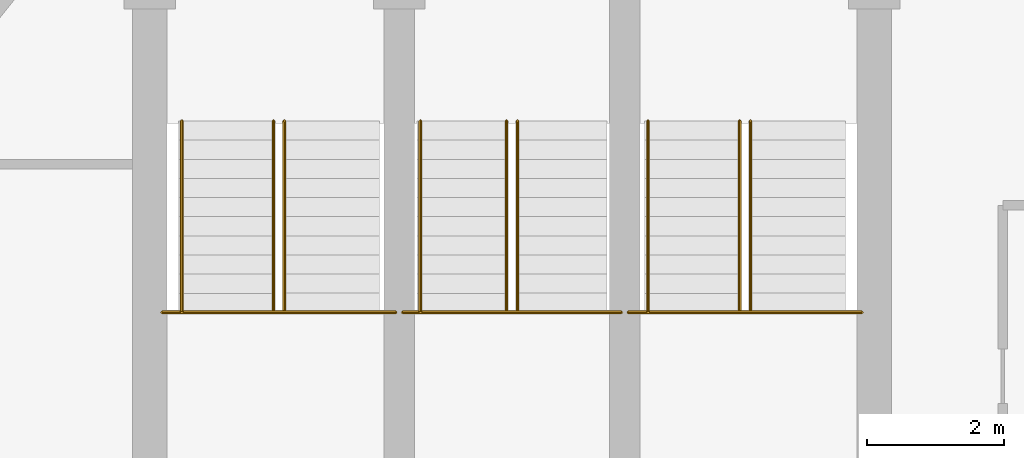
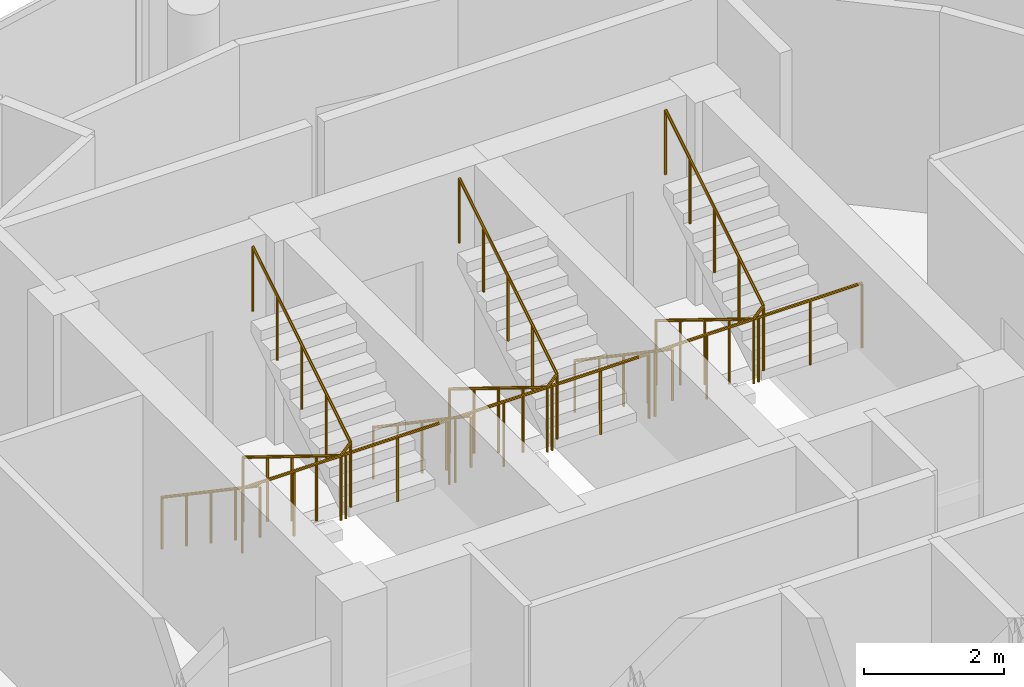
# One storey, part 24 of 24: 9 railings.
"""IFC4 building model written with IfcOpenShell, lengths in metres."""

from ifc_helpers import new_model, si_unit, direction, frame, origin, place, context, subcontext, project, spatial, polyline, outline, extrude, material, type_object, element, save


model = new_model("IFC4")

# Units and contexts
model_context = context("Model", 3, precision=1e-05, world=origin(), true_north=direction((0.0, 1.0)))
body_context = subcontext(model_context, "Body", "Model", "MODEL_VIEW")
ifc_project = project(units=[si_unit("LENGTHUNIT", "METRE"), si_unit("AREAUNIT", "SQUARE_METRE"), si_unit("VOLUMEUNIT", "CUBIC_METRE"), si_unit("PLANEANGLEUNIT", "RADIAN"), si_unit("MASSUNIT", "GRAM", prefix="KILO")], contexts=[model_context])

# Site, building, storey
site_placement = place(None, origin())
site = spatial("IfcSite", under=ifc_project, at=site_placement, CompositionType="ELEMENT")
building_placement = place(site_placement, origin())
building = spatial("IfcBuilding", under=site, at=building_placement, Name="Nuhasar Tower", CompositionType="ELEMENT")
storey_placement = place(building_placement, frame((0.0, 0.0, 278.39990234375)))
storey = spatial("IfcBuildingStorey", under=building, at=storey_placement, Name="L69", CompositionType="ELEMENT", Elevation=278.39990234375)

# Railings
ifc_material_1 = material(Name="Steel S355", Category="steel")
railing_type_1 = type_object("IfcRailingType", Name="RLG-STAIR-GUARD-1150", PredefinedType="GUARDRAIL", material=ifc_material_1)
railing_1_placement = place(storey_placement, frame((33.8798828125, 32.485107421875, 1.900146484375)))
element("IfcRailing", 1, at=railing_1_placement, inside=storey, type_object=railing_type_1, Name="L69 Stair ST-01 Guardrail LND", PredefinedType="GUARDRAIL", context=body_context, shape_type="SweptSolid", body=[
    extrude(outline(polyline([(0.024169921875, 0.0), (0.01708984375, 0.01708984375), (0.0, 0.024169921875), (-0.01708984375, 0.01708984375), (-0.024169921875, 0.0), (-0.01708984375, -0.01708984375), (0.0, -0.024169921875), (0.01708984375, -0.01708984375), (0.024169921875, 0.0)])), frame((0.0, 0.0, 1.1259765625), z_axis=(1.0, 0.0, 0.0), x_axis=(0.0, 1.0, 0.0)), (0.0, 0.0, 1.0), 3.420166015625),
    extrude(outline(polyline([(0.02099609375, 0.0), (0.014892578125, 0.014892578125), (0.0, 0.02099609375), (-0.014892578125, 0.014892578125), (-0.02099609375, 0.0), (-0.014892578125, -0.014892578125), (0.0, -0.02099609375), (0.014892578125, -0.014892578125), (0.02099609375, 0.0)])), origin(), (0.0, 0.0, 1.0), 1.101806640625),
    extrude(outline(polyline([(0.02099609375, 0.0), (0.014892578125, 0.014892578125), (0.0, 0.02099609375), (-0.014892578125, 0.014892578125), (-0.02099609375, 0.0), (-0.014892578125, -0.014892578125), (0.0, -0.02099609375), (0.014892578125, -0.014892578125), (0.02099609375, 0.0)])), frame((0.85498046875, 0.0, 0.0)), (0.0, 0.0, 1.0), 1.101806640625),
    extrude(outline(polyline([(0.02099609375, 0.0), (0.014892578125, 0.014892578125), (0.0, 0.02099609375), (-0.014892578125, 0.014892578125), (-0.02099609375, 0.0), (-0.014892578125, -0.014892578125), (0.0, -0.02099609375), (0.014892578125, -0.014892578125), (0.02099609375, 0.0)])), frame((1.7099609375, 0.0, 0.0)), (0.0, 0.0, 1.0), 1.101806640625),
    extrude(outline(polyline([(0.02099609375, 0.0), (0.014892578125, 0.014892578125), (0.0, 0.02099609375), (-0.014892578125, 0.014892578125), (-0.02099609375, 0.0), (-0.014892578125, -0.014892578125), (0.0, -0.02099609375), (0.014892578125, -0.014892578125), (0.02099609375, 0.0)])), frame((2.565185546875, 0.0, 0.0)), (0.0, 0.0, 1.0), 1.101806640625),
    extrude(outline(polyline([(0.02099609375, 0.0), (0.014892578125, 0.014892578125), (0.0, 0.02099609375), (-0.014892578125, 0.014892578125), (-0.02099609375, 0.0), (-0.014892578125, -0.014892578125), (0.0, -0.02099609375), (0.014892578125, -0.014892578125), (0.02099609375, 0.0)])), frame((3.420166015625, 0.0, 0.0)), (0.0, 0.0, 1.0), 1.101806640625),
])
railing_2_placement = place(storey_placement, frame((35.510009765625, 35.284912109375, 0.173095703125)))
element("IfcRailing", 2, at=railing_2_placement, inside=storey, type_object=railing_type_1, Name="L69 Stair ST-01 Guardrail SLT", PredefinedType="GUARDRAIL", context=body_context, shape_type="SweptSolid", body=[
    extrude(outline(polyline([(0.024169921875, 0.0), (0.01708984375, 0.01708984375), (0.0, 0.024169921875), (-0.01708984375, 0.01708984375), (-0.024169921875, 0.0), (-0.01708984375, -0.01708984375), (0.0, -0.024169921875), (0.01708984375, -0.01708984375), (0.024169921875, 0.0)])), frame((0.0, 0.0, 1.1259765625), z_axis=(0.0, -0.851102337555, 0.524999820009), x_axis=(1.0, 0.0, 0.0)), (0.0, 0.0, 1.0), 3.28955078125),
    extrude(outline(polyline([(0.024169921875, 0.0), (0.01708984375, 0.01708984375), (0.0, 0.024169921875), (-0.01708984375, 0.01708984375), (-0.024169921875, 0.0), (-0.01708984375, -0.01708984375), (0.0, -0.024169921875), (0.01708984375, -0.01708984375), (0.024169921875, 0.0)])), frame((0.0, -2.7998046875, 2.85302734375), z_axis=(0.679097852503, 0.0, 0.734047755072), x_axis=(0.0, 1.0, 0.0)), (0.0, 0.0, 1.0), 0.235595703125),
    extrude(outline(polyline([(0.024169921875, 0.0), (0.01708984375, 0.01708984375), (0.0, 0.024169921875), (-0.01708984375, 0.01708984375), (-0.024169921875, 0.0), (-0.01708984375, -0.01708984375), (0.0, -0.024169921875), (0.01708984375, -0.01708984375), (0.024169921875, 0.0)])), frame((0.159912109375, -2.7998046875, 3.02587890625), z_axis=(0.0, 0.851102337555, 0.524999820009), x_axis=(-1.0, 0.0, 0.0)), (0.0, 0.0, 1.0), 3.28955078125),
    extrude(outline(polyline([(0.02099609375, 0.0), (0.014892578125, 0.014892578125), (0.0, 0.02099609375), (-0.014892578125, 0.014892578125), (-0.02099609375, 0.0), (-0.014892578125, -0.014892578125), (0.0, -0.02099609375), (0.014892578125, -0.014892578125), (0.02099609375, 0.0)])), origin(), (0.0, 0.0, 1.0), 1.101806640625),
    extrude(outline(polyline([(0.02099609375, 0.0), (0.014892578125, 0.014892578125), (0.0, 0.02099609375), (-0.014892578125, 0.014892578125), (-0.02099609375, 0.0), (-0.014892578125, -0.014892578125), (0.0, -0.02099609375), (0.014892578125, -0.014892578125), (0.02099609375, 0.0)])), frame((0.0, -0.699951171875, 0.431640625)), (0.0, 0.0, 1.0), 1.101806640625),
    extrude(outline(polyline([(0.02099609375, 0.0), (0.014892578125, 0.014892578125), (0.0, 0.02099609375), (-0.014892578125, 0.014892578125), (-0.02099609375, 0.0), (-0.014892578125, -0.014892578125), (0.0, -0.02099609375), (0.014892578125, -0.014892578125), (0.02099609375, 0.0)])), frame((0.0, -1.39990234375, 0.863525390625)), (0.0, 0.0, 1.0), 1.101806640625),
    extrude(outline(polyline([(0.02099609375, 0.0), (0.014892578125, 0.014892578125), (0.0, 0.02099609375), (-0.014892578125, 0.014892578125), (-0.02099609375, 0.0), (-0.014892578125, -0.014892578125), (0.0, -0.02099609375), (0.014892578125, -0.014892578125), (0.02099609375, 0.0)])), frame((0.0, -2.099853515625, 1.29541015625)), (0.0, 0.0, 1.0), 1.101806640625),
    extrude(outline(polyline([(0.02099609375, 0.0), (0.014892578125, 0.014892578125), (0.0, 0.02099609375), (-0.014892578125, 0.014892578125), (-0.02099609375, 0.0), (-0.014892578125, -0.014892578125), (0.0, -0.02099609375), (0.014892578125, -0.014892578125), (0.02099609375, 0.0)])), frame((0.0, -2.7998046875, 1.72705078125)), (0.0, 0.0, 1.0), 1.101806640625),
    extrude(outline(polyline([(0.02099609375, 0.0), (0.014892578125, 0.014892578125), (0.0, 0.02099609375), (-0.014892578125, 0.014892578125), (-0.02099609375, 0.0), (-0.014892578125, -0.014892578125), (0.0, -0.02099609375), (0.014892578125, -0.014892578125), (0.02099609375, 0.0)])), frame((0.159912109375, -2.7998046875, 1.89990234375)), (0.0, 0.0, 1.0), 1.101806640625),
    extrude(outline(polyline([(0.02099609375, 0.0), (0.014892578125, 0.014892578125), (0.0, 0.02099609375), (-0.014892578125, 0.014892578125), (-0.02099609375, 0.0), (-0.014892578125, -0.014892578125), (0.0, -0.02099609375), (0.014892578125, -0.014892578125), (0.02099609375, 0.0)])), frame((0.159912109375, -2.099853515625, 2.33154296875)), (0.0, 0.0, 1.0), 1.101806640625),
    extrude(outline(polyline([(0.02099609375, 0.0), (0.014892578125, 0.014892578125), (0.0, 0.02099609375), (-0.014892578125, 0.014892578125), (-0.02099609375, 0.0), (-0.014892578125, -0.014892578125), (0.0, -0.02099609375), (0.014892578125, -0.014892578125), (0.02099609375, 0.0)])), frame((0.159912109375, -1.39990234375, 2.763427734375)), (0.0, 0.0, 1.0), 1.101806640625),
    extrude(outline(polyline([(0.02099609375, 0.0), (0.014892578125, 0.014892578125), (0.0, 0.02099609375), (-0.014892578125, 0.014892578125), (-0.02099609375, 0.0), (-0.014892578125, -0.014892578125), (0.0, -0.02099609375), (0.014892578125, -0.014892578125), (0.02099609375, 0.0)])), frame((0.159912109375, -0.699951171875, 3.1953125)), (0.0, 0.0, 1.0), 1.101806640625),
    extrude(outline(polyline([(0.02099609375, 0.0), (0.014892578125, 0.014892578125), (0.0, 0.02099609375), (-0.014892578125, 0.014892578125), (-0.02099609375, 0.0), (-0.014892578125, -0.014892578125), (0.0, -0.02099609375), (0.014892578125, -0.014892578125), (0.02099609375, 0.0)])), frame((0.159912109375, 0.0, 3.626953125)), (0.0, 0.0, 1.0), 1.101806640625),
])
railing_3_placement = place(storey_placement, frame((37.39990234375, 32.485107421875, 1.900146484375)))
element("IfcRailing", 3, at=railing_3_placement, inside=storey, type_object=railing_type_1, Name="L69 Stair ST-03 Guardrail LND", PredefinedType="GUARDRAIL", context=body_context, shape_type="SweptSolid", body=[
    extrude(outline(polyline([(0.024169921875, 0.0), (0.01708984375, 0.01708984375), (0.0, 0.024169921875), (-0.01708984375, 0.01708984375), (-0.024169921875, 0.0), (-0.01708984375, -0.01708984375), (0.0, -0.024169921875), (0.01708984375, -0.01708984375), (0.024169921875, 0.0)])), frame((0.0, 0.0, 1.1259765625), z_axis=(1.0, 0.0, 0.0), x_axis=(0.0, 1.0, 0.0)), (0.0, 0.0, 1.0), 3.2001953125),
    extrude(outline(polyline([(0.02099609375, 0.0), (0.014892578125, 0.014892578125), (0.0, 0.02099609375), (-0.014892578125, 0.014892578125), (-0.02099609375, 0.0), (-0.014892578125, -0.014892578125), (0.0, -0.02099609375), (0.014892578125, -0.014892578125), (0.02099609375, 0.0)])), origin(), (0.0, 0.0, 1.0), 1.101806640625),
    extrude(outline(polyline([(0.02099609375, 0.0), (0.014892578125, 0.014892578125), (0.0, 0.02099609375), (-0.014892578125, 0.014892578125), (-0.02099609375, 0.0), (-0.014892578125, -0.014892578125), (0.0, -0.02099609375), (0.014892578125, -0.014892578125), (0.02099609375, 0.0)])), frame((0.800048828125, 0.0, 0.0)), (0.0, 0.0, 1.0), 1.101806640625),
    extrude(outline(polyline([(0.02099609375, 0.0), (0.014892578125, 0.014892578125), (0.0, 0.02099609375), (-0.014892578125, 0.014892578125), (-0.02099609375, 0.0), (-0.014892578125, -0.014892578125), (0.0, -0.02099609375), (0.014892578125, -0.014892578125), (0.02099609375, 0.0)])), frame((1.60009765625, 0.0, 0.0)), (0.0, 0.0, 1.0), 1.101806640625),
    extrude(outline(polyline([(0.02099609375, 0.0), (0.014892578125, 0.014892578125), (0.0, 0.02099609375), (-0.014892578125, 0.014892578125), (-0.02099609375, 0.0), (-0.014892578125, -0.014892578125), (0.0, -0.02099609375), (0.014892578125, -0.014892578125), (0.02099609375, 0.0)])), frame((2.400146484375, 0.0, 0.0)), (0.0, 0.0, 1.0), 1.101806640625),
    extrude(outline(polyline([(0.02099609375, 0.0), (0.014892578125, 0.014892578125), (0.0, 0.02099609375), (-0.014892578125, 0.014892578125), (-0.02099609375, 0.0), (-0.014892578125, -0.014892578125), (0.0, -0.02099609375), (0.014892578125, -0.014892578125), (0.02099609375, 0.0)])), frame((3.2001953125, 0.0, 0.0)), (0.0, 0.0, 1.0), 1.101806640625),
])
railing_4_placement = place(storey_placement, frame((38.919921875, 35.284912109375, 0.173095703125)))
element("IfcRailing", 4, at=railing_4_placement, inside=storey, type_object=railing_type_1, Name="L69 Stair ST-03 Guardrail SLT", PredefinedType="GUARDRAIL", context=body_context, shape_type="SweptSolid", body=[
    extrude(outline(polyline([(0.024169921875, 0.0), (0.01708984375, 0.01708984375), (0.0, 0.024169921875), (-0.01708984375, 0.01708984375), (-0.024169921875, 0.0), (-0.01708984375, -0.01708984375), (0.0, -0.024169921875), (0.01708984375, -0.01708984375), (0.024169921875, 0.0)])), frame((0.0, 0.0, 1.1259765625), z_axis=(0.0, -0.851102337555, 0.524999820009), x_axis=(1.0, 0.0, 0.0)), (0.0, 0.0, 1.0), 3.28955078125),
    extrude(outline(polyline([(0.024169921875, 0.0), (0.01708984375, 0.01708984375), (0.0, 0.024169921875), (-0.01708984375, 0.01708984375), (-0.024169921875, 0.0), (-0.01708984375, -0.01708984375), (0.0, -0.024169921875), (0.01708984375, -0.01708984375), (0.024169921875, 0.0)])), frame((0.0, -2.7998046875, 2.85302734375), z_axis=(0.679655912742, 0.0, 0.733531076557), x_axis=(0.0, 1.0, 0.0)), (0.0, 0.0, 1.0), 0.235595703125),
    extrude(outline(polyline([(0.024169921875, 0.0), (0.01708984375, 0.01708984375), (0.0, 0.024169921875), (-0.01708984375, 0.01708984375), (-0.024169921875, 0.0), (-0.01708984375, -0.01708984375), (0.0, -0.024169921875), (0.01708984375, -0.01708984375), (0.024169921875, 0.0)])), frame((0.16015625, -2.7998046875, 3.02587890625), z_axis=(0.0, 0.851102337555, 0.524999820009), x_axis=(-1.0, 0.0, 0.0)), (0.0, 0.0, 1.0), 3.28955078125),
    extrude(outline(polyline([(0.02099609375, 0.0), (0.014892578125, 0.014892578125), (0.0, 0.02099609375), (-0.014892578125, 0.014892578125), (-0.02099609375, 0.0), (-0.014892578125, -0.014892578125), (0.0, -0.02099609375), (0.014892578125, -0.014892578125), (0.02099609375, 0.0)])), origin(), (0.0, 0.0, 1.0), 1.101806640625),
    extrude(outline(polyline([(0.02099609375, 0.0), (0.014892578125, 0.014892578125), (0.0, 0.02099609375), (-0.014892578125, 0.014892578125), (-0.02099609375, 0.0), (-0.014892578125, -0.014892578125), (0.0, -0.02099609375), (0.014892578125, -0.014892578125), (0.02099609375, 0.0)])), frame((0.0, -0.699951171875, 0.431640625)), (0.0, 0.0, 1.0), 1.101806640625),
    extrude(outline(polyline([(0.02099609375, 0.0), (0.014892578125, 0.014892578125), (0.0, 0.02099609375), (-0.014892578125, 0.014892578125), (-0.02099609375, 0.0), (-0.014892578125, -0.014892578125), (0.0, -0.02099609375), (0.014892578125, -0.014892578125), (0.02099609375, 0.0)])), frame((0.0, -1.39990234375, 0.863525390625)), (0.0, 0.0, 1.0), 1.101806640625),
    extrude(outline(polyline([(0.02099609375, 0.0), (0.014892578125, 0.014892578125), (0.0, 0.02099609375), (-0.014892578125, 0.014892578125), (-0.02099609375, 0.0), (-0.014892578125, -0.014892578125), (0.0, -0.02099609375), (0.014892578125, -0.014892578125), (0.02099609375, 0.0)])), frame((0.0, -2.099853515625, 1.29541015625)), (0.0, 0.0, 1.0), 1.101806640625),
    extrude(outline(polyline([(0.02099609375, 0.0), (0.014892578125, 0.014892578125), (0.0, 0.02099609375), (-0.014892578125, 0.014892578125), (-0.02099609375, 0.0), (-0.014892578125, -0.014892578125), (0.0, -0.02099609375), (0.014892578125, -0.014892578125), (0.02099609375, 0.0)])), frame((0.0, -2.7998046875, 1.72705078125)), (0.0, 0.0, 1.0), 1.101806640625),
    extrude(outline(polyline([(0.02099609375, 0.0), (0.014892578125, 0.014892578125), (0.0, 0.02099609375), (-0.014892578125, 0.014892578125), (-0.02099609375, 0.0), (-0.014892578125, -0.014892578125), (0.0, -0.02099609375), (0.014892578125, -0.014892578125), (0.02099609375, 0.0)])), frame((0.16015625, -2.7998046875, 1.89990234375)), (0.0, 0.0, 1.0), 1.101806640625),
    extrude(outline(polyline([(0.02099609375, 0.0), (0.014892578125, 0.014892578125), (0.0, 0.02099609375), (-0.014892578125, 0.014892578125), (-0.02099609375, 0.0), (-0.014892578125, -0.014892578125), (0.0, -0.02099609375), (0.014892578125, -0.014892578125), (0.02099609375, 0.0)])), frame((0.16015625, -2.099853515625, 2.33154296875)), (0.0, 0.0, 1.0), 1.101806640625),
    extrude(outline(polyline([(0.02099609375, 0.0), (0.014892578125, 0.014892578125), (0.0, 0.02099609375), (-0.014892578125, 0.014892578125), (-0.02099609375, 0.0), (-0.014892578125, -0.014892578125), (0.0, -0.02099609375), (0.014892578125, -0.014892578125), (0.02099609375, 0.0)])), frame((0.16015625, -1.39990234375, 2.763427734375)), (0.0, 0.0, 1.0), 1.101806640625),
    extrude(outline(polyline([(0.02099609375, 0.0), (0.014892578125, 0.014892578125), (0.0, 0.02099609375), (-0.014892578125, 0.014892578125), (-0.02099609375, 0.0), (-0.014892578125, -0.014892578125), (0.0, -0.02099609375), (0.014892578125, -0.014892578125), (0.02099609375, 0.0)])), frame((0.16015625, -0.699951171875, 3.1953125)), (0.0, 0.0, 1.0), 1.101806640625),
    extrude(outline(polyline([(0.02099609375, 0.0), (0.014892578125, 0.014892578125), (0.0, 0.02099609375), (-0.014892578125, 0.014892578125), (-0.02099609375, 0.0), (-0.014892578125, -0.014892578125), (0.0, -0.02099609375), (0.014892578125, -0.014892578125), (0.02099609375, 0.0)])), frame((0.16015625, 0.0, 3.626953125)), (0.0, 0.0, 1.0), 1.101806640625),
])
railing_5_placement = place(storey_placement, frame((40.699951171875, 32.485107421875, 1.900146484375)))
element("IfcRailing", 5, at=railing_5_placement, inside=storey, type_object=railing_type_1, Name="L69 Stair ST-02 Guardrail LND", PredefinedType="GUARDRAIL", context=body_context, shape_type="SweptSolid", body=[
    extrude(outline(polyline([(0.024169921875, 0.0), (0.01708984375, 0.01708984375), (0.0, 0.024169921875), (-0.01708984375, 0.01708984375), (-0.024169921875, 0.0), (-0.01708984375, -0.01708984375), (0.0, -0.024169921875), (0.01708984375, -0.01708984375), (0.024169921875, 0.0)])), frame((0.0, 0.0, 1.1259765625), z_axis=(1.0, 0.0, 0.0), x_axis=(0.0, 1.0, 0.0)), (0.0, 0.0, 1.0), 3.420166015625),
    extrude(outline(polyline([(0.02099609375, 0.0), (0.014892578125, 0.014892578125), (0.0, 0.02099609375), (-0.014892578125, 0.014892578125), (-0.02099609375, 0.0), (-0.014892578125, -0.014892578125), (0.0, -0.02099609375), (0.014892578125, -0.014892578125), (0.02099609375, 0.0)])), origin(), (0.0, 0.0, 1.0), 1.101806640625),
    extrude(outline(polyline([(0.02099609375, 0.0), (0.014892578125, 0.014892578125), (0.0, 0.02099609375), (-0.014892578125, 0.014892578125), (-0.02099609375, 0.0), (-0.014892578125, -0.014892578125), (0.0, -0.02099609375), (0.014892578125, -0.014892578125), (0.02099609375, 0.0)])), frame((0.85498046875, 0.0, 0.0)), (0.0, 0.0, 1.0), 1.101806640625),
    extrude(outline(polyline([(0.02099609375, 0.0), (0.014892578125, 0.014892578125), (0.0, 0.02099609375), (-0.014892578125, 0.014892578125), (-0.02099609375, 0.0), (-0.014892578125, -0.014892578125), (0.0, -0.02099609375), (0.014892578125, -0.014892578125), (0.02099609375, 0.0)])), frame((1.7099609375, 0.0, 0.0)), (0.0, 0.0, 1.0), 1.101806640625),
    extrude(outline(polyline([(0.02099609375, 0.0), (0.014892578125, 0.014892578125), (0.0, 0.02099609375), (-0.014892578125, 0.014892578125), (-0.02099609375, 0.0), (-0.014892578125, -0.014892578125), (0.0, -0.02099609375), (0.014892578125, -0.014892578125), (0.02099609375, 0.0)])), frame((2.565185546875, 0.0, 0.0)), (0.0, 0.0, 1.0), 1.101806640625),
    extrude(outline(polyline([(0.02099609375, 0.0), (0.014892578125, 0.014892578125), (0.0, 0.02099609375), (-0.014892578125, 0.014892578125), (-0.02099609375, 0.0), (-0.014892578125, -0.014892578125), (0.0, -0.02099609375), (0.014892578125, -0.014892578125), (0.02099609375, 0.0)])), frame((3.420166015625, 0.0, 0.0)), (0.0, 0.0, 1.0), 1.101806640625),
])
railing_6_placement = place(storey_placement, frame((42.330078125, 35.284912109375, 0.173095703125)))
element("IfcRailing", 6, at=railing_6_placement, inside=storey, type_object=railing_type_1, Name="L69 Stair ST-02 Guardrail SLT", PredefinedType="GUARDRAIL", context=body_context, shape_type="SweptSolid", body=[
    extrude(outline(polyline([(0.024169921875, 0.0), (0.01708984375, 0.01708984375), (0.0, 0.024169921875), (-0.01708984375, 0.01708984375), (-0.024169921875, 0.0), (-0.01708984375, -0.01708984375), (0.0, -0.024169921875), (0.01708984375, -0.01708984375), (0.024169921875, 0.0)])), frame((0.0, 0.0, 1.1259765625), z_axis=(0.0, -0.851102337555, 0.524999820009), x_axis=(1.0, 0.0, 0.0)), (0.0, 0.0, 1.0), 3.28955078125),
    extrude(outline(polyline([(0.024169921875, 0.0), (0.01708984375, 0.01708984375), (0.0, 0.024169921875), (-0.01708984375, 0.01708984375), (-0.024169921875, 0.0), (-0.01708984375, -0.01708984375), (0.0, -0.024169921875), (0.01708984375, -0.01708984375), (0.024169921875, 0.0)])), frame((0.0, -2.7998046875, 2.85302734375), z_axis=(0.679097852503, 0.0, 0.734047755072), x_axis=(0.0, 1.0, 0.0)), (0.0, 0.0, 1.0), 0.235595703125),
    extrude(outline(polyline([(0.024169921875, 0.0), (0.01708984375, 0.01708984375), (0.0, 0.024169921875), (-0.01708984375, 0.01708984375), (-0.024169921875, 0.0), (-0.01708984375, -0.01708984375), (0.0, -0.024169921875), (0.01708984375, -0.01708984375), (0.024169921875, 0.0)])), frame((0.159912109375, -2.7998046875, 3.02587890625), z_axis=(0.0, 0.851102337555, 0.524999820009), x_axis=(-1.0, 0.0, 0.0)), (0.0, 0.0, 1.0), 3.28955078125),
    extrude(outline(polyline([(0.02099609375, 0.0), (0.014892578125, 0.014892578125), (0.0, 0.02099609375), (-0.014892578125, 0.014892578125), (-0.02099609375, 0.0), (-0.014892578125, -0.014892578125), (0.0, -0.02099609375), (0.014892578125, -0.014892578125), (0.02099609375, 0.0)])), origin(), (0.0, 0.0, 1.0), 1.101806640625),
    extrude(outline(polyline([(0.02099609375, 0.0), (0.014892578125, 0.014892578125), (0.0, 0.02099609375), (-0.014892578125, 0.014892578125), (-0.02099609375, 0.0), (-0.014892578125, -0.014892578125), (0.0, -0.02099609375), (0.014892578125, -0.014892578125), (0.02099609375, 0.0)])), frame((0.0, -0.699951171875, 0.431640625)), (0.0, 0.0, 1.0), 1.101806640625),
    extrude(outline(polyline([(0.02099609375, 0.0), (0.014892578125, 0.014892578125), (0.0, 0.02099609375), (-0.014892578125, 0.014892578125), (-0.02099609375, 0.0), (-0.014892578125, -0.014892578125), (0.0, -0.02099609375), (0.014892578125, -0.014892578125), (0.02099609375, 0.0)])), frame((0.0, -1.39990234375, 0.863525390625)), (0.0, 0.0, 1.0), 1.101806640625),
    extrude(outline(polyline([(0.02099609375, 0.0), (0.014892578125, 0.014892578125), (0.0, 0.02099609375), (-0.014892578125, 0.014892578125), (-0.02099609375, 0.0), (-0.014892578125, -0.014892578125), (0.0, -0.02099609375), (0.014892578125, -0.014892578125), (0.02099609375, 0.0)])), frame((0.0, -2.099853515625, 1.29541015625)), (0.0, 0.0, 1.0), 1.101806640625),
    extrude(outline(polyline([(0.02099609375, 0.0), (0.014892578125, 0.014892578125), (0.0, 0.02099609375), (-0.014892578125, 0.014892578125), (-0.02099609375, 0.0), (-0.014892578125, -0.014892578125), (0.0, -0.02099609375), (0.014892578125, -0.014892578125), (0.02099609375, 0.0)])), frame((0.0, -2.7998046875, 1.72705078125)), (0.0, 0.0, 1.0), 1.101806640625),
    extrude(outline(polyline([(0.02099609375, 0.0), (0.014892578125, 0.014892578125), (0.0, 0.02099609375), (-0.014892578125, 0.014892578125), (-0.02099609375, 0.0), (-0.014892578125, -0.014892578125), (0.0, -0.02099609375), (0.014892578125, -0.014892578125), (0.02099609375, 0.0)])), frame((0.159912109375, -2.7998046875, 1.89990234375)), (0.0, 0.0, 1.0), 1.101806640625),
    extrude(outline(polyline([(0.02099609375, 0.0), (0.014892578125, 0.014892578125), (0.0, 0.02099609375), (-0.014892578125, 0.014892578125), (-0.02099609375, 0.0), (-0.014892578125, -0.014892578125), (0.0, -0.02099609375), (0.014892578125, -0.014892578125), (0.02099609375, 0.0)])), frame((0.159912109375, -2.099853515625, 2.33154296875)), (0.0, 0.0, 1.0), 1.101806640625),
    extrude(outline(polyline([(0.02099609375, 0.0), (0.014892578125, 0.014892578125), (0.0, 0.02099609375), (-0.014892578125, 0.014892578125), (-0.02099609375, 0.0), (-0.014892578125, -0.014892578125), (0.0, -0.02099609375), (0.014892578125, -0.014892578125), (0.02099609375, 0.0)])), frame((0.159912109375, -1.39990234375, 2.763427734375)), (0.0, 0.0, 1.0), 1.101806640625),
    extrude(outline(polyline([(0.02099609375, 0.0), (0.014892578125, 0.014892578125), (0.0, 0.02099609375), (-0.014892578125, 0.014892578125), (-0.02099609375, 0.0), (-0.014892578125, -0.014892578125), (0.0, -0.02099609375), (0.014892578125, -0.014892578125), (0.02099609375, 0.0)])), frame((0.159912109375, -0.699951171875, 3.1953125)), (0.0, 0.0, 1.0), 1.101806640625),
    extrude(outline(polyline([(0.02099609375, 0.0), (0.014892578125, 0.014892578125), (0.0, 0.02099609375), (-0.014892578125, 0.014892578125), (-0.02099609375, 0.0), (-0.014892578125, -0.014892578125), (0.0, -0.02099609375), (0.014892578125, -0.014892578125), (0.02099609375, 0.0)])), frame((0.159912109375, 0.0, 3.626953125)), (0.0, 0.0, 1.0), 1.101806640625),
])
ifc_material_2 = material(Name="Stainless Steel 316L", Category="steel")
railing_type_2 = type_object("IfcRailingType", Name="RLG-STAIR-HAND-920", PredefinedType="HANDRAIL", material=ifc_material_2)
railing_7_placement = place(storey_placement, frame((34.169921875, 35.284912109375, 0.173095703125)))
element("IfcRailing", 7, at=railing_7_placement, inside=storey, type_object=railing_type_2, Name="L69 Stair ST-01 Handrail HND1", PredefinedType="HANDRAIL", context=body_context, shape_type="SweptSolid", body=[
    extrude(outline(polyline([(0.024169921875, 0.0), (0.01708984375, 0.01708984375), (0.0, 0.024169921875), (-0.01708984375, 0.01708984375), (-0.024169921875, 0.0), (-0.01708984375, -0.01708984375), (0.0, -0.024169921875), (0.01708984375, -0.01708984375), (0.024169921875, 0.0)])), frame((0.0, 0.0, 0.89599609375), z_axis=(0.0, -0.827470985049, 0.561508476251), x_axis=(1.0, 0.0, 0.0)), (0.0, 0.0, 1.0), 3.383544921875),
    extrude(outline(polyline([(0.02099609375, 0.0), (0.014892578125, 0.014892578125), (0.0, 0.02099609375), (-0.014892578125, 0.014892578125), (-0.02099609375, 0.0), (-0.014892578125, -0.014892578125), (0.0, -0.02099609375), (0.014892578125, -0.014892578125), (0.02099609375, 0.0)])), origin(), (0.0, 0.0, 1.0), 0.871826171875),
    extrude(outline(polyline([(0.02099609375, 0.0), (0.014892578125, 0.014892578125), (0.0, 0.02099609375), (-0.014892578125, 0.014892578125), (-0.02099609375, 0.0), (-0.014892578125, -0.014892578125), (0.0, -0.02099609375), (0.014892578125, -0.014892578125), (0.02099609375, 0.0)])), frame((0.0, -0.699951171875, 0.47509765625)), (0.0, 0.0, 1.0), 0.871826171875),
    extrude(outline(polyline([(0.02099609375, 0.0), (0.014892578125, 0.014892578125), (0.0, 0.02099609375), (-0.014892578125, 0.014892578125), (-0.02099609375, 0.0), (-0.014892578125, -0.014892578125), (0.0, -0.02099609375), (0.014892578125, -0.014892578125), (0.02099609375, 0.0)])), frame((0.0, -1.39990234375, 0.949951171875)), (0.0, 0.0, 1.0), 0.871826171875),
    extrude(outline(polyline([(0.02099609375, 0.0), (0.014892578125, 0.014892578125), (0.0, 0.02099609375), (-0.014892578125, 0.014892578125), (-0.02099609375, 0.0), (-0.014892578125, -0.014892578125), (0.0, -0.02099609375), (0.014892578125, -0.014892578125), (0.02099609375, 0.0)])), frame((0.0, -2.099853515625, 1.4248046875)), (0.0, 0.0, 1.0), 0.871826171875),
    extrude(outline(polyline([(0.02099609375, 0.0), (0.014892578125, 0.014892578125), (0.0, 0.02099609375), (-0.014892578125, 0.014892578125), (-0.02099609375, 0.0), (-0.014892578125, -0.014892578125), (0.0, -0.02099609375), (0.014892578125, -0.014892578125), (0.02099609375, 0.0)])), frame((0.0, -2.7998046875, 1.89990234375)), (0.0, 0.0, 1.0), 0.871826171875),
])
railing_8_placement = place(storey_placement, frame((37.659912109375, 35.284912109375, 0.173095703125)))
element("IfcRailing", 8, at=railing_8_placement, inside=storey, type_object=railing_type_2, Name="L69 Stair ST-03 Handrail HND1", PredefinedType="HANDRAIL", context=body_context, shape_type="SweptSolid", body=[
    extrude(outline(polyline([(0.024169921875, 0.0), (0.01708984375, 0.01708984375), (0.0, 0.024169921875), (-0.01708984375, 0.01708984375), (-0.024169921875, 0.0), (-0.01708984375, -0.01708984375), (0.0, -0.024169921875), (0.01708984375, -0.01708984375), (0.024169921875, 0.0)])), frame((0.0, 0.0, 0.89599609375), z_axis=(0.0, -0.827470985049, 0.561508476251), x_axis=(1.0, 0.0, 0.0)), (0.0, 0.0, 1.0), 3.383544921875),
    extrude(outline(polyline([(0.02099609375, 0.0), (0.014892578125, 0.014892578125), (0.0, 0.02099609375), (-0.014892578125, 0.014892578125), (-0.02099609375, 0.0), (-0.014892578125, -0.014892578125), (0.0, -0.02099609375), (0.014892578125, -0.014892578125), (0.02099609375, 0.0)])), origin(), (0.0, 0.0, 1.0), 0.871826171875),
    extrude(outline(polyline([(0.02099609375, 0.0), (0.014892578125, 0.014892578125), (0.0, 0.02099609375), (-0.014892578125, 0.014892578125), (-0.02099609375, 0.0), (-0.014892578125, -0.014892578125), (0.0, -0.02099609375), (0.014892578125, -0.014892578125), (0.02099609375, 0.0)])), frame((0.0, -0.699951171875, 0.47509765625)), (0.0, 0.0, 1.0), 0.871826171875),
    extrude(outline(polyline([(0.02099609375, 0.0), (0.014892578125, 0.014892578125), (0.0, 0.02099609375), (-0.014892578125, 0.014892578125), (-0.02099609375, 0.0), (-0.014892578125, -0.014892578125), (0.0, -0.02099609375), (0.014892578125, -0.014892578125), (0.02099609375, 0.0)])), frame((0.0, -1.39990234375, 0.949951171875)), (0.0, 0.0, 1.0), 0.871826171875),
    extrude(outline(polyline([(0.02099609375, 0.0), (0.014892578125, 0.014892578125), (0.0, 0.02099609375), (-0.014892578125, 0.014892578125), (-0.02099609375, 0.0), (-0.014892578125, -0.014892578125), (0.0, -0.02099609375), (0.014892578125, -0.014892578125), (0.02099609375, 0.0)])), frame((0.0, -2.099853515625, 1.4248046875)), (0.0, 0.0, 1.0), 0.871826171875),
    extrude(outline(polyline([(0.02099609375, 0.0), (0.014892578125, 0.014892578125), (0.0, 0.02099609375), (-0.014892578125, 0.014892578125), (-0.02099609375, 0.0), (-0.014892578125, -0.014892578125), (0.0, -0.02099609375), (0.014892578125, -0.014892578125), (0.02099609375, 0.0)])), frame((0.0, -2.7998046875, 1.89990234375)), (0.0, 0.0, 1.0), 0.871826171875),
])
railing_9_placement = place(storey_placement, frame((40.989990234375, 35.284912109375, 0.173095703125)))
element("IfcRailing", 9, at=railing_9_placement, inside=storey, type_object=railing_type_2, Name="L69 Stair ST-02 Handrail HND1", PredefinedType="HANDRAIL", context=body_context, shape_type="SweptSolid", body=[
    extrude(outline(polyline([(0.024169921875, 0.0), (0.01708984375, 0.01708984375), (0.0, 0.024169921875), (-0.01708984375, 0.01708984375), (-0.024169921875, 0.0), (-0.01708984375, -0.01708984375), (0.0, -0.024169921875), (0.01708984375, -0.01708984375), (0.024169921875, 0.0)])), frame((0.0, 0.0, 0.89599609375), z_axis=(0.0, -0.827470985049, 0.561508476251), x_axis=(1.0, 0.0, 0.0)), (0.0, 0.0, 1.0), 3.383544921875),
    extrude(outline(polyline([(0.02099609375, 0.0), (0.014892578125, 0.014892578125), (0.0, 0.02099609375), (-0.014892578125, 0.014892578125), (-0.02099609375, 0.0), (-0.014892578125, -0.014892578125), (0.0, -0.02099609375), (0.014892578125, -0.014892578125), (0.02099609375, 0.0)])), origin(), (0.0, 0.0, 1.0), 0.871826171875),
    extrude(outline(polyline([(0.02099609375, 0.0), (0.014892578125, 0.014892578125), (0.0, 0.02099609375), (-0.014892578125, 0.014892578125), (-0.02099609375, 0.0), (-0.014892578125, -0.014892578125), (0.0, -0.02099609375), (0.014892578125, -0.014892578125), (0.02099609375, 0.0)])), frame((0.0, -0.699951171875, 0.47509765625)), (0.0, 0.0, 1.0), 0.871826171875),
    extrude(outline(polyline([(0.02099609375, 0.0), (0.014892578125, 0.014892578125), (0.0, 0.02099609375), (-0.014892578125, 0.014892578125), (-0.02099609375, 0.0), (-0.014892578125, -0.014892578125), (0.0, -0.02099609375), (0.014892578125, -0.014892578125), (0.02099609375, 0.0)])), frame((0.0, -1.39990234375, 0.949951171875)), (0.0, 0.0, 1.0), 0.871826171875),
    extrude(outline(polyline([(0.02099609375, 0.0), (0.014892578125, 0.014892578125), (0.0, 0.02099609375), (-0.014892578125, 0.014892578125), (-0.02099609375, 0.0), (-0.014892578125, -0.014892578125), (0.0, -0.02099609375), (0.014892578125, -0.014892578125), (0.02099609375, 0.0)])), frame((0.0, -2.099853515625, 1.4248046875)), (0.0, 0.0, 1.0), 0.871826171875),
    extrude(outline(polyline([(0.02099609375, 0.0), (0.014892578125, 0.014892578125), (0.0, 0.02099609375), (-0.014892578125, 0.014892578125), (-0.02099609375, 0.0), (-0.014892578125, -0.014892578125), (0.0, -0.02099609375), (0.014892578125, -0.014892578125), (0.02099609375, 0.0)])), frame((0.0, -2.7998046875, 1.89990234375)), (0.0, 0.0, 1.0), 0.871826171875),
])

save(model, "model.ifc")
